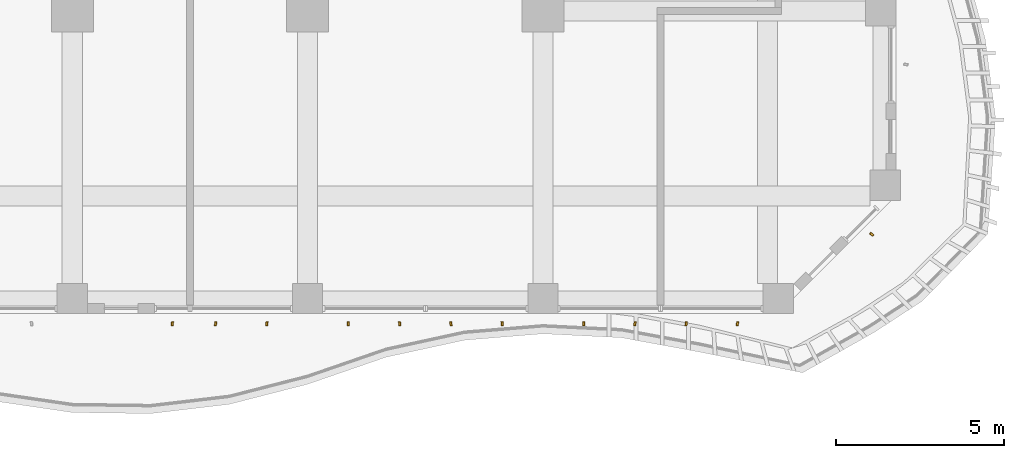
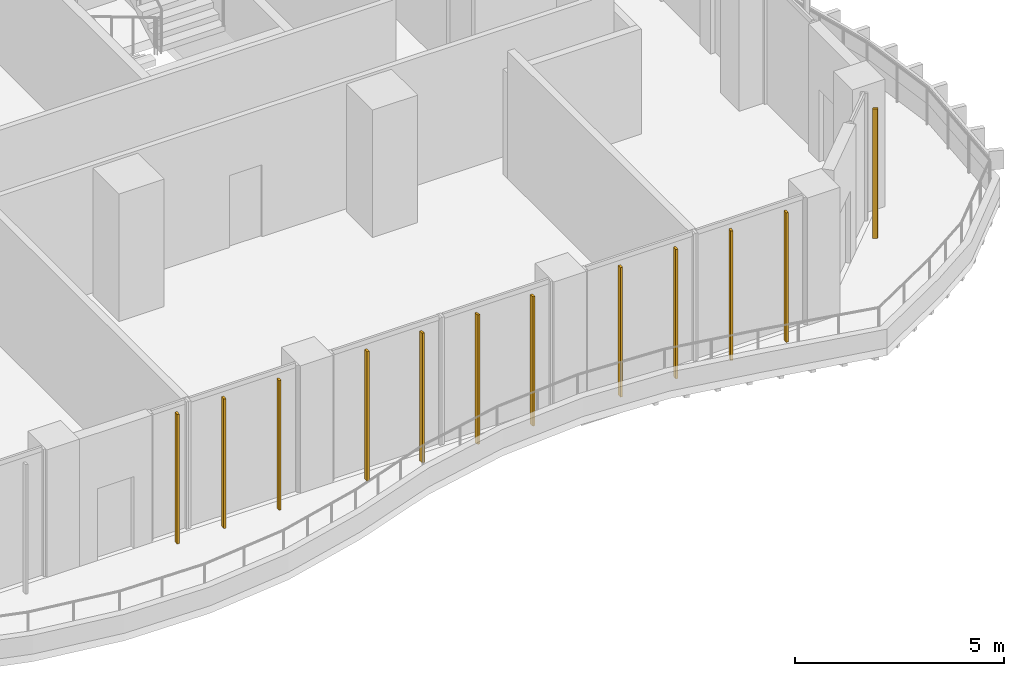
# One storey, part 24 of 29: 12 shading devices.
"""IFC4 building model written with IfcOpenShell, lengths in metres."""

from ifc_helpers import new_model, si_unit, direction, frame, origin, origin_2d, place, context, subcontext, project, spatial, rectangle, extrude, source, transform, mapped, material, material_profile, profile_set, type_object, element, save


model = new_model("IFC4")

# Units and contexts
model_context = context("Model", 3, precision=1e-05, world=origin(), true_north=direction((0.0, 1.0)))
body_context = subcontext(model_context, "Body", "Model", "MODEL_VIEW")
ifc_project = project(units=[si_unit("LENGTHUNIT", "METRE"), si_unit("AREAUNIT", "SQUARE_METRE"), si_unit("VOLUMEUNIT", "CUBIC_METRE"), si_unit("PLANEANGLEUNIT", "RADIAN"), si_unit("MASSUNIT", "GRAM", prefix="KILO")], contexts=[model_context])

# Site, building, storey
site_placement = place(None, origin())
site = spatial("IfcSite", under=ifc_project, at=site_placement, CompositionType="ELEMENT")
building_placement = place(site_placement, origin())
building = spatial("IfcBuilding", under=site, at=building_placement, Name="Kilnfold Tower and Market Hall", CompositionType="ELEMENT")
storey_placement = place(building_placement, frame((0.0, 0.0, 79.199951171875)))
storey = spatial("IfcBuildingStorey", under=building, at=storey_placement, Name="L18", CompositionType="ELEMENT", Elevation=79.199951171875)

# Shading devices
ifc_material = material(Name="Terracotta", Category="masonry")
ifc_material_profile = material_profile(ifc_material, rectangle(XDim=0.06005859375, YDim=0.1201171875, at=origin_2d()), Name="BAG 60x120")
ifc_profile_set = profile_set([ifc_material_profile], Name="Terracotta")
shading_device_type = type_object("IfcShadingDeviceType", Name="BAGUETTE", PredefinedType="USERDEFINED", material=ifc_profile_set)
shared_shape = source(origin(), body_context, "Body", "SweptSolid", [
    extrude(rectangle(XDim=0.06005859375, YDim=0.1201171875, at=origin_2d()), origin(), (0.0, 0.0, 1.0), 3.780029296875),
])
for number, where, z_axis, x_axis, name in (
    (1, (11.47509765625, -28.300048828125, 0.0), (0.0, 0.0, 1.0), (0.992396304618, -0.123083608092, 0.0), "Terracotta baguette L18 S"),
    (2, (12.762451171875, -28.300048828125, 0.0), (0.0, 0.0, 1.0), (0.990348062439, -0.138602724445, 0.0), "Terracotta baguette L18 S"),
    (3, (14.28759765625, -28.300048828125, 0.0), (0.0, 0.0, 1.0), (0.99503179316, -0.099557674746, 0.0), "Terracotta baguette L18 S"),
    (4, (16.71240234375, -28.300048828125, 0.0), (0.0, 0.0, 1.0), (0.999187797607, 0.040295720773, 0.0), "Terracotta baguette L18 S"),
    (5, (18.237548828125, -28.300048828125, 0.0), (0.0, 0.0, 1.0), (0.993309022359, 0.1154867356, 0.0), "Terracotta baguette L18 S"),
    (6, (19.762451171875, -28.300048828125, 0.0), (0.0, 0.0, 1.0), (0.990348062439, 0.138602724445, 0.0), "Terracotta baguette L18 S"),
    (7, (21.28759765625, -28.300048828125, 0.0), (0.0, 0.0, 1.0), (0.99503179316, 0.099557674746, 0.0), "Terracotta baguette L18 S"),
    (8, (23.71240234375, -28.300048828125, 0.0), (0.0, 0.0, 1.0), (0.999187797607, -0.040295720773, 0.0), "Terracotta baguette L18 S"),
    (9, (25.237548828125, -28.300048828125, 0.0), (0.0, 0.0, 1.0), (0.993309022359, -0.1154867356, 0.0), "Terracotta baguette L18 S"),
    (10, (26.762451171875, -28.300048828125, 0.0), (0.0, 0.0, 1.0), (0.990348062439, -0.138602724445, 0.0), "Terracotta baguette L18 S"),
    (11, (28.28759765625, -28.300048828125, 0.0), (0.0, 0.0, 1.0), (0.99503179316, -0.099557674746, 0.0), "Terracotta baguette L18 S"),
    (12, (32.28173828125, -25.642578125, 0.0), (0.0, 0.0, 1.0), (0.603845352285, 0.797101493239, 0.0), "Terracotta baguette L18 SE"),
):
    element("IfcShadingDevice", number, at=place(storey_placement, frame(where, z_axis=z_axis, x_axis=x_axis)), inside=storey, type_object=shading_device_type, Name=name, ObjectType="BAGUETTE", PredefinedType="USERDEFINED", context=body_context, shape_type="MappedRepresentation", body=[
        mapped(shared_shape, transform((0.0, 0.0, 0.0))),
    ])

save(model, "model.ifc")
